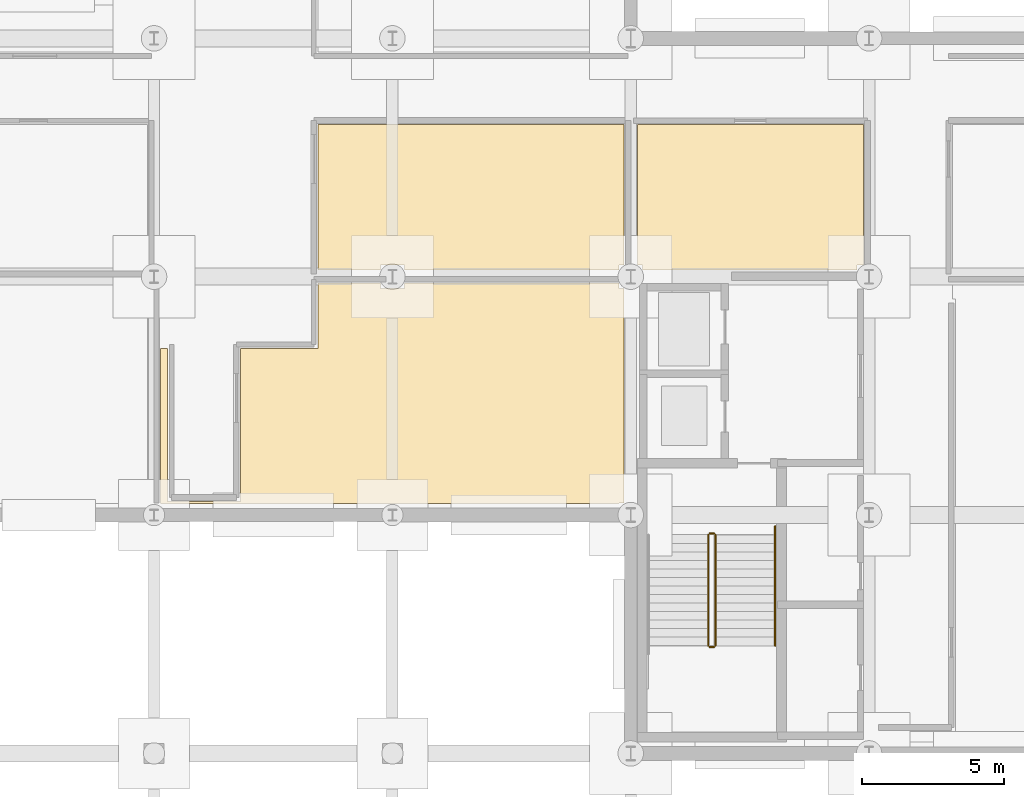
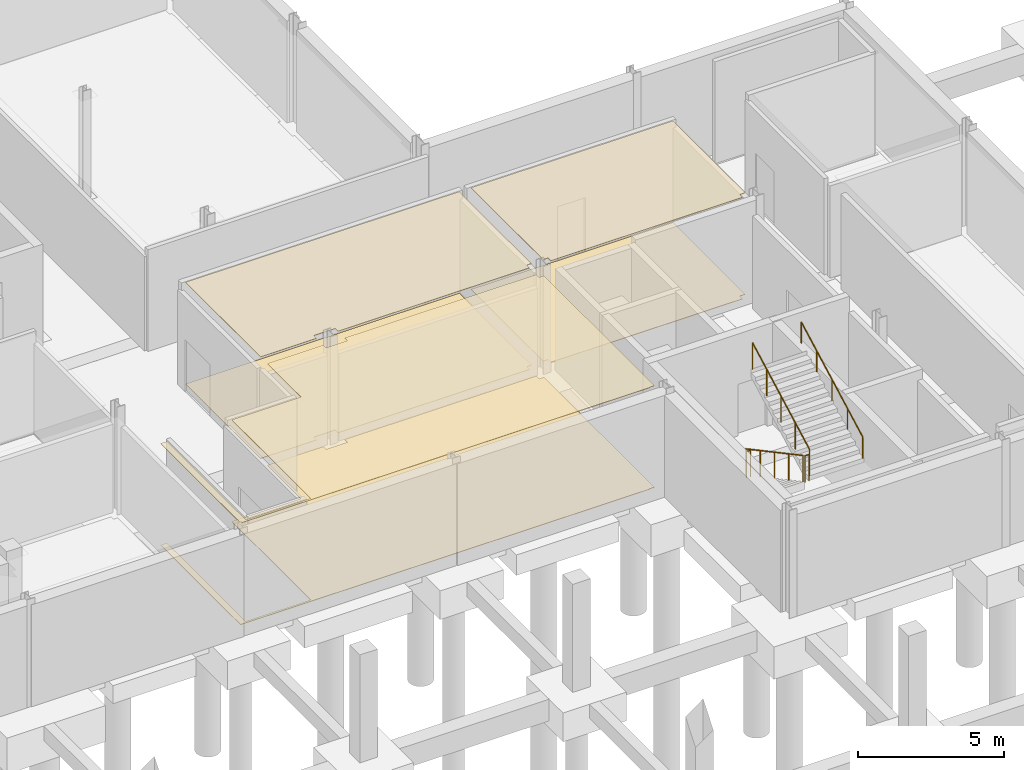
# One storey, part 36 of 43: 6 coverings, 5 railings.
"""IFC4 building model written with IfcOpenShell, lengths in metres."""

from ifc_helpers import new_model, si_unit, direction, frame, origin, origin_2d, place, context, subcontext, project, spatial, polyline, circle, outline, extrude, material, layer, layer_set, type_object, element, save


model = new_model("IFC4")

# Units and contexts
model_context = context("Model", 3, precision=1e-05, world=origin(), true_north=direction((0.0, 1.0)))
body_context = subcontext(model_context, "Body", "Model", "MODEL_VIEW")
ifc_project = project(units=[si_unit("LENGTHUNIT", "METRE"), si_unit("AREAUNIT", "SQUARE_METRE"), si_unit("VOLUMEUNIT", "CUBIC_METRE"), si_unit("PLANEANGLEUNIT", "RADIAN"), si_unit("MASSUNIT", "GRAM", prefix="KILO")], contexts=[model_context])

# Site, building, storey
site_placement = place(None, origin())
site = spatial("IfcSite", under=ifc_project, at=site_placement, CompositionType="ELEMENT")
building_placement = place(site_placement, origin())
building = spatial("IfcBuilding", under=site, at=building_placement, Name="Mersafa Astral City Hall", CompositionType="ELEMENT")
storey_placement = place(building_placement, frame((0.0, 0.0, -4.5)))
storey = spatial("IfcBuildingStorey", under=building, at=storey_placement, Name="B1", CompositionType="ELEMENT", Elevation=-4.5)

# Railings
ifc_material_1 = material(Name="Painted architectural steel stair guard balustrade", Category="steel")
railing_type_1 = type_object("IfcRailingType", Name="GUARD-RAIL", PredefinedType="BALUSTRADE", material=ifc_material_1)
railing_1_placement = place(storey_placement, frame((120.330078125, 16.10009765625, 0.16064453125)))
element("IfcRailing", 1, at=railing_1_placement, inside=storey, type_object=railing_type_1, Name="B1 ST5 stair guard 1", PredefinedType="BALUSTRADE", context=body_context, shape_type="SweptSolid", body=[
    extrude(circle(Radius=0.02392578125, at=origin_2d()), frame((0.0, 0.0, 1.09619140625), z_axis=(0.0, -0.881480790326, 0.47221988129), x_axis=(1.0, 0.0, 0.0)), (0.0, 0.0, 1.0), 4.424560546875),
    extrude(circle(Radius=0.02099609375, at=origin_2d()), origin(), (0.0, 0.0, 1.0), 1.072021484375),
    extrude(circle(Radius=0.02099609375, at=origin_2d()), frame((0.0, -0.97509765625, 0.5224609375)), (0.0, 0.0, 1.0), 1.072021484375),
    extrude(circle(Radius=0.02099609375, at=origin_2d()), frame((0.0, -1.9501953125, 1.044677734375)), (0.0, 0.0, 1.0), 1.072021484375),
    extrude(circle(Radius=0.02099609375, at=origin_2d()), frame((0.0, -2.925048828125, 1.56689453125)), (0.0, 0.0, 1.0), 1.072021484375),
    extrude(circle(Radius=0.02099609375, at=origin_2d()), frame((0.0, -3.900146484375, 2.08935546875)), (0.0, 0.0, 1.0), 1.072021484375),
])
railing_2_placement = place(storey_placement, frame((120.3798828125, 12.14990234375, 2.25)))
element("IfcRailing", 2, at=railing_2_placement, inside=storey, type_object=railing_type_1, Name="B1 ST5 stair guard 2", PredefinedType="BALUSTRADE", context=body_context, shape_type="SweptSolid", body=[
    extrude(circle(Radius=0.02392578125, at=origin_2d()), frame((0.0, 0.0, 1.09619140625), z_axis=(1.0, 0.0, 0.0), x_axis=(0.0, 1.0, 0.0)), (0.0, 0.0, 1.0), 0.16015625),
    extrude(circle(Radius=0.02099609375, at=origin_2d()), origin(), (0.0, 0.0, 1.0), 1.072021484375),
    extrude(circle(Radius=0.02099609375, at=origin_2d()), frame((0.16015625, 0.0, 0.0)), (0.0, 0.0, 1.0), 1.072021484375),
])
railing_3_placement = place(storey_placement, frame((120.590087890625, 12.199951171875, 2.41064453125)))
element("IfcRailing", 3, at=railing_3_placement, inside=storey, type_object=railing_type_1, Name="B1 ST5 stair guard 3", PredefinedType="BALUSTRADE", context=body_context, shape_type="SweptSolid", body=[
    extrude(circle(Radius=0.02392578125, at=origin_2d()), frame((0.0, 0.0, 1.09619140625), z_axis=(0.0, 0.881480790326, 0.47221988129), x_axis=(-1.0, 0.0, 0.0)), (0.0, 0.0, 1.0), 4.424560546875),
    extrude(circle(Radius=0.02099609375, at=origin_2d()), origin(), (0.0, 0.0, 1.0), 1.072021484375),
    extrude(circle(Radius=0.02099609375, at=origin_2d()), frame((0.0, 0.97509765625, 0.5224609375)), (0.0, 0.0, 1.0), 1.072021484375),
    extrude(circle(Radius=0.02099609375, at=origin_2d()), frame((0.0, 1.9501953125, 1.044677734375)), (0.0, 0.0, 1.0), 1.072021484375),
    extrude(circle(Radius=0.02099609375, at=origin_2d()), frame((0.0, 2.925048828125, 1.56689453125)), (0.0, 0.0, 1.0), 1.072021484375),
    extrude(circle(Radius=0.02099609375, at=origin_2d()), frame((0.0, 3.900146484375, 2.08935546875)), (0.0, 0.0, 1.0), 1.072021484375),
])
railing_4_placement = place(storey_placement, frame((120.3798828125, 16.14990234375, 0.0)))
element("IfcRailing", 4, at=railing_4_placement, inside=storey, type_object=railing_type_1, Name="B1 ST5 stair guard 4", PredefinedType="BALUSTRADE", context=body_context, shape_type="SweptSolid", body=[
    extrude(circle(Radius=0.02392578125, at=origin_2d()), frame((0.0, 0.0, 1.09619140625), z_axis=(1.0, 0.0, 0.0), x_axis=(0.0, 1.0, 0.0)), (0.0, 0.0, 1.0), 0.16015625),
    extrude(circle(Radius=0.02099609375, at=origin_2d()), origin(), (0.0, 0.0, 1.0), 1.072021484375),
    extrude(circle(Radius=0.02099609375, at=origin_2d()), frame((0.16015625, 0.0, 0.0)), (0.0, 0.0, 1.0), 1.072021484375),
])
ifc_material_2 = material(Name="Brushed stainless steel tubular handrail", Category="steel")
railing_type_2 = type_object("IfcRailingType", Name="HANDRAIL", PredefinedType="HANDRAIL", material=ifc_material_2)
railing_5_placement = place(storey_placement, frame((122.68994140625, 12.199951171875, 2.41064453125)))
element("IfcRailing", 5, at=railing_5_placement, inside=storey, type_object=railing_type_2, Name="B1 ST5 stair handrail 2", PredefinedType="HANDRAIL", context=body_context, shape_type="SweptSolid", body=[
    extrude(circle(Radius=0.02392578125, at=origin_2d()), frame((0.0, 0.0, 0.8759765625), z_axis=(0.0, 0.881200344737, 0.472743008869), x_axis=(-1.0, 0.0, 0.0)), (0.0, 0.0, 1.0), 4.76611328125),
    extrude(circle(Radius=0.02099609375, at=origin_2d()), origin(), (0.0, 0.0, 1.0), 0.851806640625),
    extrude(circle(Radius=0.02099609375, at=origin_2d()), frame((0.0, 1.050048828125, 0.563232421875)), (0.0, 0.0, 1.0), 0.851806640625),
    extrude(circle(Radius=0.02099609375, at=origin_2d()), frame((0.0, 2.10009765625, 1.12646484375)), (0.0, 0.0, 1.0), 0.851806640625),
    extrude(circle(Radius=0.02099609375, at=origin_2d()), frame((0.0, 3.14990234375, 1.68994140625)), (0.0, 0.0, 1.0), 0.851806640625),
    extrude(circle(Radius=0.02099609375, at=origin_2d()), frame((0.0, 4.199951171875, 2.253173828125)), (0.0, 0.0, 1.0), 0.851806640625),
])

# Coverings
ifc_material_3 = material(Name="Perforated acoustic gypsum board ceiling", Category="gypsum")
ifc_layer_1 = layer(ifc_material_3, 0.02490234375, Name="Perforated acoustic gypsum board ceiling")
ifc_layer_set_1 = layer_set([ifc_layer_1], Name="Perforated acoustic gypsum board ceiling — INT-COV-CEIL-25")
covering_type_1 = type_object("IfcCoveringType", Name="INT-COV-CEIL-25", PredefinedType="CEILING", material=ifc_layer_set_1)
covering_1_placement = place(storey_placement, frame((0.0, 0.0, 4.23095703125)))
element("IfcCovering", 6, at=covering_1_placement, inside=storey, type_object=covering_type_1, Name="B1 Domestic Water Booster Room B1-08 acoustic ceiling", PredefinedType="CEILING", context=body_context, shape_type="SweptSolid", body=[
    extrude(outline(polyline([(101.280029296875, 22.669921875), (101.280029296875, 17.280029296875), (103.840087890625, 17.280029296875), (103.840087890625, 22.669921875), (106.570068359375, 22.669921875), (106.570068359375, 24.969970703125), (108.780029296875, 24.969970703125), (108.780029296875, 24.780029296875), (109.6201171875, 24.780029296875), (109.6201171875, 24.969970703125), (117.179931640625, 24.969970703125), (117.179931640625, 24.780029296875), (117.3701171875, 24.780029296875), (117.3701171875, 17.219970703125), (117.179931640625, 17.219970703125), (117.179931640625, 17.199951171875), (101.030029296875, 17.199951171875), (101.030029296875, 22.669921875), (101.280029296875, 22.669921875)])), origin(), (0.0, 0.0, 1.0), 0.025146484375),
])
covering_2_placement = place(storey_placement, frame((0.0, 0.0, 4.23095703125)))
element("IfcCovering", 7, at=covering_2_placement, inside=storey, type_object=covering_type_1, Name="B1 Mechanical Chiller Plant Room B1-17 acoustic ceiling", PredefinedType="CEILING", context=body_context, shape_type="SweptSolid", body=[
    extrude(outline(polyline([(117.3701171875, 25.6201171875), (117.179931640625, 25.6201171875), (117.179931640625, 25.429931640625), (109.6201171875, 25.429931640625), (109.6201171875, 25.6201171875), (108.780029296875, 25.6201171875), (108.780029296875, 25.429931640625), (106.570068359375, 25.429931640625), (106.570068359375, 30.56005859375), (117.3701171875, 30.56005859375), (117.3701171875, 25.6201171875)])), origin(), (0.0, 0.0, 1.0), 0.025146484375),
])
covering_3_placement = place(storey_placement, frame((0.0, 0.0, 4.23095703125)))
element("IfcCovering", 8, at=covering_3_placement, inside=storey, type_object=covering_type_1, Name="B1 Emergency Generator Room B1-21 acoustic ceiling", PredefinedType="CEILING", context=body_context, shape_type="SweptSolid", body=[
    extrude(outline(polyline([(125.580078125, 25.6201171875), (125.580078125, 25.429931640625), (118.02001953125, 25.429931640625), (118.02001953125, 25.6201171875), (117.830078125, 25.6201171875), (117.830078125, 30.56005859375), (125.800048828125, 30.56005859375), (125.800048828125, 25.6201171875), (125.580078125, 25.6201171875)])), origin(), (0.0, 0.0, 1.0), 0.025146484375),
])
ifc_material_4 = material(Name="Honed Cairo limestone terrazzo flooring", Category="masonry")
ifc_layer_2 = layer(ifc_material_4, 0.02001953125, Name="Honed Cairo limestone terrazzo flooring")
ifc_layer_set_2 = layer_set([ifc_layer_2], Name="Honed Cairo limestone terrazzo flooring — INT-COV-FLR-20")
covering_type_2 = type_object("IfcCoveringType", Name="INT-COV-FLR-20", PredefinedType="FLOORING", material=ifc_layer_set_2)
covering_4_placement = place(storey_placement, frame((0.0, 0.0, -0.00146484375)))
element("IfcCovering", 9, at=covering_4_placement, inside=storey, type_object=covering_type_2, Name="B1 Domestic Water Booster Room B1-08 architectural flooring", PredefinedType="FLOORING", context=body_context, shape_type="SweptSolid", body=[
    extrude(outline(polyline([(101.280029296875, 22.669921875), (101.280029296875, 17.280029296875), (103.840087890625, 17.280029296875), (103.840087890625, 22.669921875), (106.570068359375, 22.669921875), (106.570068359375, 24.969970703125), (108.780029296875, 24.969970703125), (108.780029296875, 24.780029296875), (109.6201171875, 24.780029296875), (109.6201171875, 24.969970703125), (117.179931640625, 24.969970703125), (117.179931640625, 24.780029296875), (117.3701171875, 24.780029296875), (117.3701171875, 17.219970703125), (117.179931640625, 17.219970703125), (117.179931640625, 17.199951171875), (101.030029296875, 17.199951171875), (101.030029296875, 22.669921875), (101.280029296875, 22.669921875)])), origin(), (0.0, 0.0, 1.0), 0.02001953125),
])
covering_5_placement = place(storey_placement, frame((0.0, 0.0, -0.00146484375)))
element("IfcCovering", 10, at=covering_5_placement, inside=storey, type_object=covering_type_2, Name="B1 Mechanical Chiller Plant Room B1-17 architectural flooring", PredefinedType="FLOORING", context=body_context, shape_type="SweptSolid", body=[
    extrude(outline(polyline([(117.3701171875, 25.6201171875), (117.179931640625, 25.6201171875), (117.179931640625, 25.429931640625), (109.6201171875, 25.429931640625), (109.6201171875, 25.6201171875), (108.780029296875, 25.6201171875), (108.780029296875, 25.429931640625), (106.570068359375, 25.429931640625), (106.570068359375, 30.56005859375), (117.3701171875, 30.56005859375), (117.3701171875, 25.6201171875)])), origin(), (0.0, 0.0, 1.0), 0.02001953125),
])
covering_6_placement = place(storey_placement, frame((0.0, 0.0, -0.00146484375)))
element("IfcCovering", 11, at=covering_6_placement, inside=storey, type_object=covering_type_2, Name="B1 Emergency Generator Room B1-21 architectural flooring", PredefinedType="FLOORING", context=body_context, shape_type="SweptSolid", body=[
    extrude(outline(polyline([(125.580078125, 25.6201171875), (125.580078125, 25.429931640625), (118.02001953125, 25.429931640625), (118.02001953125, 25.6201171875), (117.830078125, 25.6201171875), (117.830078125, 30.56005859375), (125.800048828125, 30.56005859375), (125.800048828125, 25.6201171875), (125.580078125, 25.6201171875)])), origin(), (0.0, 0.0, 1.0), 0.02001953125),
])

save(model, "model.ifc")
